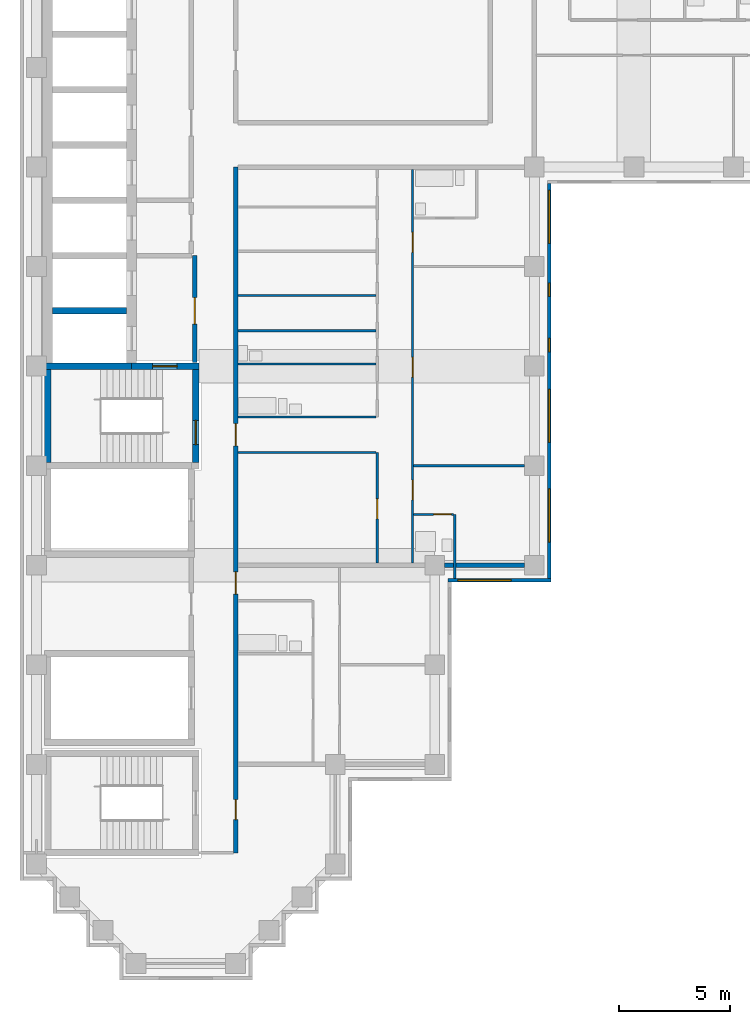
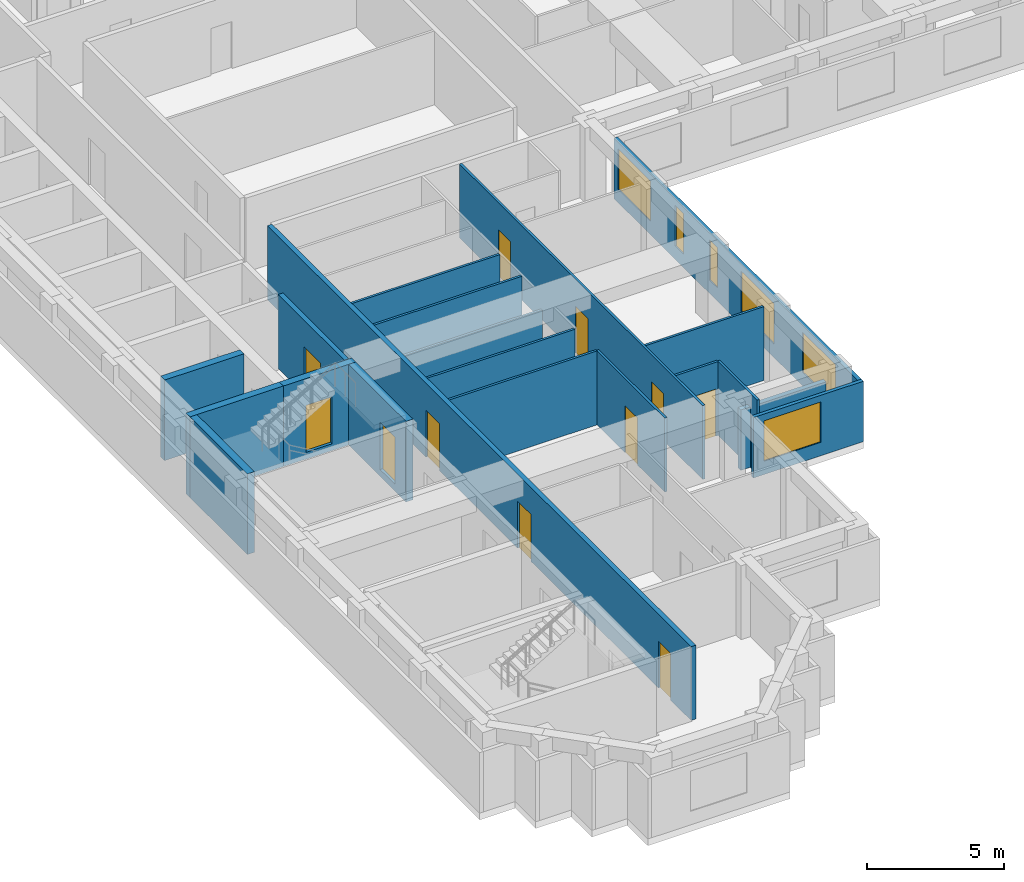
# One storey, part 3 of 10: 20 walls, 11 doors, 6 windows, 17 openings.
"""IFC4 building model written with IfcOpenShell, lengths in metres."""

from ifc_helpers import new_model, si_unit, direction, frame, frame_2d, origin, place, context, subcontext, project, spatial, rectangle, extrude, material, layer, layer_set, type_object, element, fill, save


model = new_model("IFC4")

# Units and contexts
model_context = context("Model", 3, precision=1e-05, world=origin(), true_north=direction((0.0, 1.0)))
body_context = subcontext(model_context, "Body", "Model", "MODEL_VIEW")
ifc_project = project(units=[si_unit("LENGTHUNIT", "METRE"), si_unit("AREAUNIT", "SQUARE_METRE"), si_unit("VOLUMEUNIT", "CUBIC_METRE"), si_unit("PLANEANGLEUNIT", "RADIAN"), si_unit("MASSUNIT", "GRAM", prefix="KILO")], contexts=[model_context])

# Site, building, storey
site_placement = place(None, origin())
site = spatial("IfcSite", under=ifc_project, at=site_placement, CompositionType="ELEMENT")
building_placement = place(site_placement, origin())
building = spatial("IfcBuilding", under=site, at=building_placement, Name="Firuza Court", CompositionType="ELEMENT")
storey_placement = place(building_placement, frame((0.0, 0.0, 200.60009765625)))
storey = spatial("IfcBuildingStorey", under=building, at=storey_placement, Name="L51", CompositionType="ELEMENT", Elevation=200.60009765625)

# Wall
ifc_material_1 = material(Name="Moisture-resistant gypsum board partition")
ifc_layer_1 = layer(ifc_material_1, 0.10009765625)
ifc_layer_set_1 = layer_set([ifc_layer_1], Name="Moisture-resistant gypsum board partition")
wall_type_1 = type_object("IfcWallType", Name="Bathroom partition 100", PredefinedType="PLUMBINGWALL", material=ifc_layer_set_1)
wall_1_placement = place(storey_placement, frame((18.89990234375, 17.39990234375, 0.0), z_axis=(0.0, 0.0, 1.0), x_axis=(0.0, 1.0, 0.0)))
element("IfcWall", 1, at=wall_1_placement, inside=storey, type_object=wall_type_1, Name="Bathroom partition 100 L51", PredefinedType="PLUMBINGWALL", context=body_context, shape_type="SweptSolid", body=[
    extrude(rectangle(XDim=2.900146484375, YDim=0.10009765625, at=frame_2d((1.4501953125, 0.0))), origin(), (0.0, 0.0, 1.0), 3.2998046875),
])

# Wall, opening, door
wall_2_placement = place(storey_placement, frame((17.050048828125, 20.300048828125, 0.0), z_axis=(0.0, 0.0, 1.0), x_axis=(1.0, 0.0, 0.0)))
wall_2 = element("IfcWall", 2, at=wall_2_placement, inside=storey, type_object=wall_type_1, Name="Bathroom partition 100 L51", PredefinedType="PLUMBINGWALL", context=body_context, shape_type="SweptSolid", body=[
    extrude(rectangle(XDim=1.800048828125, YDim=0.10009765625, at=frame_2d((0.89990234375, 0.0))), origin(), (0.0, 0.0, 1.0), 3.2998046875),
])
opening_1_placement = place(wall_2_placement, frame((0.89990234375, 0.0, 0.0)))
opening_1 = element("IfcOpeningElement", 3, at=opening_1_placement, cuts=wall_2, Name="Opening D51028", PredefinedType="OPENING", context=body_context, shape_type="SweptSolid", body=[
    extrude(rectangle(XDim=0.800048828125, YDim=2.10009765625, at=frame_2d((0.39990234375, 1.050048828125))), frame((0.0, 0.06201171875, 0.0), z_axis=(0.0, -1.0, 0.0), x_axis=(1.0, 0.0, 0.0)), (0.0, 0.0, 1.0), 0.1240234375),
])
ifc_material_2 = material(Name="Timber door leaf in hardwood frame", Category="wood")
door_type_1 = type_object("IfcDoorType", Name="Bathroom door 800", OperationType="SINGLE_SWING_LEFT", PredefinedType="DOOR", material=ifc_material_2)
door_1_placement = place(opening_1_placement, frame((0.800048828125, 0.0, 0.0), z_axis=(0.0, 0.0, 1.0), x_axis=(-1.0, 0.0, 0.0)))
door_1 = element("IfcDoor", 4, at=door_1_placement, inside=storey, type_object=door_type_1, Name="En-suite door", OperationType="SINGLE_SWING_LEFT", OverallHeight=2.10009765625, OverallWidth=0.800048828125, PredefinedType="DOOR", context=body_context, shape_type="SweptSolid", body=[
    extrude(rectangle(XDim=0.800048828125, YDim=2.10009765625, at=frame_2d((0.39990234375, 1.050048828125))), frame((0.0, 0.02490234375, 0.0), z_axis=(0.0, -1.0, 0.0), x_axis=(1.0, 0.0, 0.0)), (0.0, 0.0, 1.0), 0.050048828125),
])
fill(opening_1, door_1)

# Walls
wall_3_placement = place(storey_placement, frame((9.10009765625, 24.699951171875, 0.0), z_axis=(0.0, 0.0, 1.0), x_axis=(1.0, 0.0, 0.0)))
element("IfcWall", 5, at=wall_3_placement, inside=storey, type_object=wall_type_1, Name="Bathroom partition 100 L51", PredefinedType="PLUMBINGWALL", context=body_context, shape_type="SweptSolid", body=[
    extrude(rectangle(XDim=6.25, YDim=0.10009765625, at=frame_2d((3.125, 0.0))), origin(), (0.0, 0.0, 1.0), 3.2998046875),
])
wall_4_placement = place(storey_placement, frame((9.10009765625, 27.10009765625, 0.0), z_axis=(0.0, 0.0, 1.0), x_axis=(1.0, 0.0, 0.0)))
element("IfcWall", 6, at=wall_4_placement, inside=storey, type_object=wall_type_1, Name="Bathroom partition 100 L51", PredefinedType="PLUMBINGWALL", context=body_context, shape_type="SweptSolid", body=[
    extrude(rectangle(XDim=6.25, YDim=0.10009765625, at=frame_2d((3.125, 0.0))), origin(), (0.0, 0.0, 1.0), 2.699951171875),
])
wall_5_placement = place(storey_placement, frame((9.10009765625, 28.60009765625, 0.0), z_axis=(0.0, 0.0, 1.0), x_axis=(1.0, 0.0, 0.0)))
element("IfcWall", 7, at=wall_5_placement, inside=storey, type_object=wall_type_1, Name="Bathroom partition 100 L51", PredefinedType="PLUMBINGWALL", context=body_context, shape_type="SweptSolid", body=[
    extrude(rectangle(XDim=6.25, YDim=0.10009765625, at=frame_2d((3.125, 0.0))), origin(), (0.0, 0.0, 1.0), 3.2998046875),
])
ifc_material_3 = material(Name="Concrete C50/60", Category="concrete")
ifc_layer_2 = layer(ifc_material_3, 0.300048828125)
ifc_layer_set_2 = layer_set([ifc_layer_2], Name="Concrete C50/60")
wall_type_2 = type_object("IfcWallType", Name="Core wall 300 C50/60", PredefinedType="SHEAR", material=ifc_layer_set_2)
wall_6_placement = place(storey_placement, frame((0.35009765625, 27.0, -0.300048828125), z_axis=(0.0, 0.0, 1.0), x_axis=(1.0, 0.0, 0.0)))
element("IfcWall", 8, at=wall_6_placement, inside=storey, type_object=wall_type_2, Name="Core wall lift shaft L51", PredefinedType="SHEAR", context=body_context, shape_type="SweptSolid", body=[
    extrude(rectangle(XDim=3.949951171875, YDim=0.300048828125, at=frame_2d((1.97509765625, 0.0))), origin(), (0.0, 0.0, 1.0), 3.599853515625),
])
wall_7_placement = place(storey_placement, frame((0.5, 22.64990234375, -0.300048828125), z_axis=(0.0, 0.0, 1.0), x_axis=(0.0, 1.0, 0.0)))
element("IfcWall", 9, at=wall_7_placement, inside=storey, type_object=wall_type_2, Name="Core wall stair L51", PredefinedType="SHEAR", context=body_context, shape_type="SweptSolid", body=[
    extrude(rectangle(XDim=4.2001953125, YDim=0.300048828125, at=frame_2d((2.10009765625, 0.0))), origin(), (0.0, 0.0, 1.0), 3.599853515625),
])
wall_8_placement = place(storey_placement, frame((0.72509765625, 29.5, -0.300048828125), z_axis=(0.0, 0.0, 1.0), x_axis=(1.0, 0.0, 0.0)))
element("IfcWall", 10, at=wall_8_placement, inside=storey, type_object=wall_type_2, Name="Core wall lift shaft L51", PredefinedType="SHEAR", context=body_context, shape_type="SweptSolid", body=[
    extrude(rectangle(XDim=3.349853515625, YDim=0.300048828125, at=frame_2d((1.6748046875, 0.0))), origin(), (0.0, 0.0, 1.0), 3.599853515625),
])

# Wall, opening, door
wall_9_placement = place(storey_placement, frame((4.300048828125, 27.0, -0.300048828125), z_axis=(0.0, 0.0, 1.0), x_axis=(1.0, 0.0, 0.0)))
wall_9 = element("IfcWall", 11, at=wall_9_placement, inside=storey, type_object=wall_type_2, Name="Core wall stair L51", PredefinedType="SHEAR", context=body_context, shape_type="SweptSolid", body=[
    extrude(rectangle(XDim=3.050048828125, YDim=0.300048828125, at=frame_2d((1.52490234375, 0.0))), origin(), (0.0, 0.0, 1.0), 3.599853515625),
])
opening_2_placement = place(wall_9_placement, frame((0.949951171875, 0.0, 0.300048828125)))
opening_2 = element("IfcOpeningElement", 12, at=opening_2_placement, cuts=wall_9, Name="Opening D51012", PredefinedType="OPENING", context=body_context, shape_type="SweptSolid", body=[
    extrude(rectangle(XDim=1.10009765625, YDim=2.10009765625, at=frame_2d((0.550048828125, 1.050048828125))), frame((0.0, 0.162109375, 0.0), z_axis=(0.0, -1.0, 0.0), x_axis=(1.0, 0.0, 0.0)), (0.0, 0.0, 1.0), 0.323974609375),
])
ifc_material_4 = material(Name="Timber door leaf in hardwood frame", Category="wood")
door_type_2 = type_object("IfcDoorType", Name="Stair door 1100", OperationType="SINGLE_SWING_LEFT", PredefinedType="DOOR", material=ifc_material_4)
door_2_placement = place(opening_2_placement, frame((1.10009765625, 0.0, 0.0), z_axis=(0.0, 0.0, 1.0), x_axis=(-1.0, 0.0, 0.0)))
door_2 = element("IfcDoor", 13, at=door_2_placement, inside=storey, type_object=door_type_2, Name="Fire-fighting lobby door", OperationType="SINGLE_SWING_LEFT", OverallHeight=2.10009765625, OverallWidth=1.10009765625, PredefinedType="DOOR", context=body_context, shape_type="SweptSolid", body=[
    extrude(rectangle(XDim=1.10009765625, YDim=2.10009765625, at=frame_2d((0.550048828125, 1.050048828125))), frame((0.0, 0.02490234375, 0.0), z_axis=(0.0, -1.0, 0.0), x_axis=(1.0, 0.0, 0.0)), (0.0, 0.0, 1.0), 0.050048828125),
])
fill(opening_2, door_2)

wall_10_placement = place(storey_placement, frame((7.199951171875, 22.64990234375, -0.300048828125), z_axis=(0.0, 0.0, 1.0), x_axis=(0.0, 1.0, 0.0)))
wall_10 = element("IfcWall", 14, at=wall_10_placement, inside=storey, type_object=wall_type_2, Name="Core wall stair L51", PredefinedType="SHEAR", context=body_context, shape_type="SweptSolid", body=[
    extrude(rectangle(XDim=4.2001953125, YDim=0.300048828125, at=frame_2d((2.10009765625, 0.0))), origin(), (0.0, 0.0, 1.0), 3.599853515625),
])
opening_3_placement = place(wall_10_placement, frame((0.800048828125, 0.0, 0.300048828125)))
opening_3 = element("IfcOpeningElement", 15, at=opening_3_placement, cuts=wall_10, Name="Opening D51013", PredefinedType="OPENING", context=body_context, shape_type="SweptSolid", body=[
    extrude(rectangle(XDim=1.10009765625, YDim=2.10009765625, at=frame_2d((0.550048828125, 1.050048828125))), frame((0.0, 0.162109375, 0.0), z_axis=(0.0, -1.0, 0.0), x_axis=(1.0, 0.0, 0.0)), (0.0, 0.0, 1.0), 0.323974609375),
])
door_3_placement = place(opening_3_placement, origin())
door_3 = element("IfcDoor", 16, at=door_3_placement, inside=storey, type_object=door_type_2, Name="Stair door S2", OperationType="SINGLE_SWING_LEFT", OverallHeight=2.10009765625, OverallWidth=1.10009765625, PredefinedType="DOOR", context=body_context, shape_type="SweptSolid", body=[
    extrude(rectangle(XDim=1.10009765625, YDim=2.10009765625, at=frame_2d((0.550048828125, 1.050048828125))), frame((0.0, 0.02490234375, 0.0), z_axis=(0.0, -1.0, 0.0), x_axis=(1.0, 0.0, 0.0)), (0.0, 0.0, 1.0), 0.050048828125),
])
fill(opening_3, door_3)

# Wall, openings, doors
ifc_material_5 = material(Name="Blockwork, plastered both sides", Category="masonry")
ifc_layer_3 = layer(ifc_material_5, 0.199951171875)
ifc_layer_set_3 = layer_set([ifc_layer_3], Name="Blockwork, plastered both sides")
wall_type_3 = type_object("IfcWallType", Name="Corridor wall 200", PredefinedType="PARTITIONING", material=ifc_layer_set_3)
wall_11_placement = place(storey_placement, frame((9.0, 5.0, 0.0), z_axis=(0.0, 0.0, 1.0), x_axis=(0.0, 1.0, 0.0)))
wall_11 = element("IfcWall", 17, at=wall_11_placement, inside=storey, type_object=wall_type_3, Name="Corridor wall 200 L51", PredefinedType="PARTITIONING", context=body_context, shape_type="SweptSolid", body=[
    extrude(rectangle(XDim=31.0, YDim=0.199951171875, at=frame_2d((15.5, 0.0))), origin(), (0.0, 0.0, 1.0), 3.2998046875),
])
opening_4_placement = place(wall_11_placement, frame((18.39990234375, 0.0, 0.0)))
opening_4 = element("IfcOpeningElement", 18, at=opening_4_placement, cuts=wall_11, Name="Opening D51016", PredefinedType="OPENING", context=body_context, shape_type="SweptSolid", body=[
    extrude(rectangle(XDim=1.0, YDim=2.10009765625, at=frame_2d((0.5, 1.050048828125))), frame((0.0, 0.11181640625, 0.0), z_axis=(0.0, -1.0, 0.0), x_axis=(1.0, 0.0, 0.0)), (0.0, 0.0, 1.0), 0.223876953125),
])
opening_5_placement = place(wall_11_placement, frame((11.699951171875, 0.0, 0.0)))
opening_5 = element("IfcOpeningElement", 19, at=opening_5_placement, cuts=wall_11, Name="Opening D51017", PredefinedType="OPENING", context=body_context, shape_type="SweptSolid", body=[
    extrude(rectangle(XDim=1.0, YDim=2.10009765625, at=frame_2d((0.5, 1.050048828125))), frame((0.0, 0.11181640625, 0.0), z_axis=(0.0, -1.0, 0.0), x_axis=(1.0, 0.0, 0.0)), (0.0, 0.0, 1.0), 0.223876953125),
])
opening_6_placement = place(wall_11_placement, frame((1.5, 0.0, 0.0)))
opening_6 = element("IfcOpeningElement", 20, at=opening_6_placement, cuts=wall_11, Name="Opening D51018", PredefinedType="OPENING", context=body_context, shape_type="SweptSolid", body=[
    extrude(rectangle(XDim=0.89990234375, YDim=2.10009765625, at=frame_2d((0.449951171875, 1.050048828125))), frame((0.0, 0.11181640625, 0.0), z_axis=(0.0, -1.0, 0.0), x_axis=(1.0, 0.0, 0.0)), (0.0, 0.0, 1.0), 0.223876953125),
])
ifc_material_6 = material(Name="Timber door leaf in hardwood frame", Category="wood")
door_type_3 = type_object("IfcDoorType", Name="Flat entrance door 1000", OperationType="SINGLE_SWING_LEFT", PredefinedType="DOOR", material=ifc_material_6)
door_4_placement = place(opening_4_placement, origin())
door_4 = element("IfcDoor", 21, at=door_4_placement, inside=storey, type_object=door_type_3, Name="Flat entrance door", OperationType="SINGLE_SWING_LEFT", OverallHeight=2.10009765625, OverallWidth=1.0, PredefinedType="DOOR", context=body_context, shape_type="SweptSolid", body=[
    extrude(rectangle(XDim=1.0, YDim=2.10009765625, at=frame_2d((0.5, 1.050048828125))), frame((0.0, 0.02490234375, 0.0), z_axis=(0.0, -1.0, 0.0), x_axis=(1.0, 0.0, 0.0)), (0.0, 0.0, 1.0), 0.050048828125),
])
fill(opening_4, door_4)
door_5_placement = place(opening_5_placement, origin())
door_5 = element("IfcDoor", 22, at=door_5_placement, inside=storey, type_object=door_type_3, Name="Flat entrance door", OperationType="SINGLE_SWING_LEFT", OverallHeight=2.10009765625, OverallWidth=1.0, PredefinedType="DOOR", context=body_context, shape_type="SweptSolid", body=[
    extrude(rectangle(XDim=1.0, YDim=2.10009765625, at=frame_2d((0.5, 1.050048828125))), frame((0.0, 0.02490234375, 0.0), z_axis=(0.0, -1.0, 0.0), x_axis=(1.0, 0.0, 0.0)), (0.0, 0.0, 1.0), 0.050048828125),
])
fill(opening_5, door_5)
ifc_material_7 = material(Name="Timber door leaf in hardwood frame", Category="wood")
door_type_4 = type_object("IfcDoorType", Name="Room door 900 EI 30", OperationType="SINGLE_SWING_LEFT", PredefinedType="DOOR", material=ifc_material_7)
door_6_placement = place(opening_6_placement, frame((0.89990234375, 0.0, 0.0), z_axis=(0.0, 0.0, 1.0), x_axis=(-1.0, 0.0, 0.0)))
door_6 = element("IfcDoor", 23, at=door_6_placement, inside=storey, type_object=door_type_4, Name="Music room door", OperationType="SINGLE_SWING_LEFT", OverallHeight=2.10009765625, OverallWidth=0.89990234375, PredefinedType="DOOR", context=body_context, shape_type="SweptSolid", body=[
    extrude(rectangle(XDim=0.89990234375, YDim=2.10009765625, at=frame_2d((0.449951171875, 1.050048828125))), frame((0.0, 0.02490234375, 0.0), z_axis=(0.0, -1.0, 0.0), x_axis=(1.0, 0.0, 0.0)), (0.0, 0.0, 1.0), 0.050048828125),
])
fill(opening_6, door_6)

# Wall, opening, door
ifc_material_8 = material(Name="Timber stud partition, plasterboard both sides", Category="wood")
ifc_layer_4 = layer(ifc_material_8, 0.10009765625)
ifc_layer_set_4 = layer_set([ifc_layer_4], Name="Timber stud partition, plasterboard both sides")
wall_type_4 = type_object("IfcWallType", Name="Partition wall 100", PredefinedType="PARTITIONING", material=ifc_layer_set_4)
wall_12_placement = place(storey_placement, frame((15.39990234375, 18.10009765625, 0.0), z_axis=(0.0, 0.0, 1.0), x_axis=(0.0, 1.0, 0.0)))
wall_12 = element("IfcWall", 24, at=wall_12_placement, inside=storey, type_object=wall_type_4, Name="Partition wall 100 L51", PredefinedType="PARTITIONING", context=body_context, shape_type="SweptSolid", body=[
    extrude(rectangle(XDim=5.0, YDim=0.10009765625, at=frame_2d((2.5, 0.0))), origin(), (0.0, 0.0, 1.0), 3.2998046875),
])
opening_7_placement = place(wall_12_placement, frame((2.0, 0.0, 0.0)))
opening_7 = element("IfcOpeningElement", 25, at=opening_7_placement, cuts=wall_12, Name="Opening D51024", PredefinedType="OPENING", context=body_context, shape_type="SweptSolid", body=[
    extrude(rectangle(XDim=0.89990234375, YDim=2.10009765625, at=frame_2d((0.449951171875, 1.050048828125))), frame((0.0, 0.06201171875, 0.0), z_axis=(0.0, -1.0, 0.0), x_axis=(1.0, 0.0, 0.0)), (0.0, 0.0, 1.0), 0.1240234375),
])
ifc_material_9 = material(Name="Timber door leaf in hardwood frame", Category="wood")
door_type_5 = type_object("IfcDoorType", Name="Room door 900", OperationType="SINGLE_SWING_LEFT", PredefinedType="DOOR", material=ifc_material_9)
door_7_placement = place(opening_7_placement, origin())
door_7 = element("IfcDoor", 26, at=door_7_placement, inside=storey, type_object=door_type_5, Name="Kitchen door", OperationType="SINGLE_SWING_LEFT", OverallHeight=2.10009765625, OverallWidth=0.89990234375, PredefinedType="DOOR", context=body_context, shape_type="SweptSolid", body=[
    extrude(rectangle(XDim=0.89990234375, YDim=2.10009765625, at=frame_2d((0.449951171875, 1.050048828125))), frame((0.0, 0.02490234375, 0.0), z_axis=(0.0, -1.0, 0.0), x_axis=(1.0, 0.0, 0.0)), (0.0, 0.0, 1.0), 0.050048828125),
])
fill(opening_7, door_7)

# Wall, openings, doors
wall_13_placement = place(storey_placement, frame((17.0, 18.10009765625, 0.0), z_axis=(0.0, 0.0, 1.0), x_axis=(0.0, 1.0, 0.0)))
wall_13 = element("IfcWall", 27, at=wall_13_placement, inside=storey, type_object=wall_type_4, Name="Partition wall 100 L51", PredefinedType="PARTITIONING", context=body_context, shape_type="SweptSolid", body=[
    extrude(rectangle(XDim=17.7998046875, YDim=0.10009765625, at=frame_2d((8.89990234375, 0.0))), origin(), (0.0, 0.0, 1.0), 3.2998046875),
])
opening_8_placement = place(wall_13_placement, frame((2.85009765625, 0.0, 0.0)))
opening_8 = element("IfcOpeningElement", 28, at=opening_8_placement, cuts=wall_13, Name="Opening D51025", PredefinedType="OPENING", context=body_context, shape_type="SweptSolid", body=[
    extrude(rectangle(XDim=0.89990234375, YDim=2.10009765625, at=frame_2d((0.449951171875, 1.050048828125))), frame((0.0, 0.06201171875, 0.0), z_axis=(0.0, -1.0, 0.0), x_axis=(1.0, 0.0, 0.0)), (0.0, 0.0, 1.0), 0.1240234375),
])
opening_9_placement = place(wall_13_placement, frame((8.39990234375, 0.0, 0.0)))
opening_9 = element("IfcOpeningElement", 29, at=opening_9_placement, cuts=wall_13, Name="Opening D51026", PredefinedType="OPENING", context=body_context, shape_type="SweptSolid", body=[
    extrude(rectangle(XDim=0.89990234375, YDim=2.10009765625, at=frame_2d((0.449951171875, 1.050048828125))), frame((0.0, 0.06201171875, 0.0), z_axis=(0.0, -1.0, 0.0), x_axis=(1.0, 0.0, 0.0)), (0.0, 0.0, 1.0), 0.1240234375),
])
opening_10_placement = place(wall_13_placement, frame((14.050048828125, 0.0, 0.0)))
opening_10 = element("IfcOpeningElement", 30, at=opening_10_placement, cuts=wall_13, Name="Opening D51027", PredefinedType="OPENING", context=body_context, shape_type="SweptSolid", body=[
    extrude(rectangle(XDim=0.89990234375, YDim=2.10009765625, at=frame_2d((0.449951171875, 1.050048828125))), frame((0.0, 0.06201171875, 0.0), z_axis=(0.0, -1.0, 0.0), x_axis=(1.0, 0.0, 0.0)), (0.0, 0.0, 1.0), 0.1240234375),
])
door_8_placement = place(opening_8_placement, frame((0.89990234375, 0.0, 0.0), z_axis=(0.0, 0.0, 1.0), x_axis=(-1.0, 0.0, 0.0)))
door_8 = element("IfcDoor", 31, at=door_8_placement, inside=storey, type_object=door_type_5, Name="Bedroom door", OperationType="SINGLE_SWING_RIGHT", OverallHeight=2.10009765625, OverallWidth=0.89990234375, PredefinedType="DOOR", context=body_context, shape_type="SweptSolid", body=[
    extrude(rectangle(XDim=0.89990234375, YDim=2.10009765625, at=frame_2d((0.449951171875, 1.050048828125))), frame((0.0, 0.02490234375, 0.0), z_axis=(0.0, -1.0, 0.0), x_axis=(1.0, 0.0, 0.0)), (0.0, 0.0, 1.0), 0.050048828125),
])
fill(opening_8, door_8)
door_9_placement = place(opening_9_placement, frame((0.89990234375, 0.0, 0.0), z_axis=(0.0, 0.0, 1.0), x_axis=(-1.0, 0.0, 0.0)))
door_9 = element("IfcDoor", 32, at=door_9_placement, inside=storey, type_object=door_type_5, Name="Living room door", OperationType="SINGLE_SWING_RIGHT", OverallHeight=2.10009765625, OverallWidth=0.89990234375, PredefinedType="DOOR", context=body_context, shape_type="SweptSolid", body=[
    extrude(rectangle(XDim=0.89990234375, YDim=2.10009765625, at=frame_2d((0.449951171875, 1.050048828125))), frame((0.0, 0.02490234375, 0.0), z_axis=(0.0, -1.0, 0.0), x_axis=(1.0, 0.0, 0.0)), (0.0, 0.0, 1.0), 0.050048828125),
])
fill(opening_9, door_9)
door_10_placement = place(opening_10_placement, frame((0.89990234375, 0.0, 0.0), z_axis=(0.0, 0.0, 1.0), x_axis=(-1.0, 0.0, 0.0)))
door_10 = element("IfcDoor", 33, at=door_10_placement, inside=storey, type_object=door_type_5, Name="Bedroom door", OperationType="SINGLE_SWING_RIGHT", OverallHeight=2.10009765625, OverallWidth=0.89990234375, PredefinedType="DOOR", context=body_context, shape_type="SweptSolid", body=[
    extrude(rectangle(XDim=0.89990234375, YDim=2.10009765625, at=frame_2d((0.449951171875, 1.050048828125))), frame((0.0, 0.02490234375, 0.0), z_axis=(0.0, -1.0, 0.0), x_axis=(1.0, 0.0, 0.0)), (0.0, 0.0, 1.0), 0.050048828125),
])
fill(opening_10, door_10)

# Walls
wall_14_placement = place(storey_placement, frame((17.050048828125, 22.5, 0.0), z_axis=(0.0, 0.0, 1.0), x_axis=(1.0, 0.0, 0.0)))
element("IfcWall", 34, at=wall_14_placement, inside=storey, type_object=wall_type_4, Name="Partition wall 100 L51", PredefinedType="PARTITIONING", context=body_context, shape_type="SweptSolid", body=[
    extrude(rectangle(XDim=5.0, YDim=0.10009765625, at=frame_2d((2.5, 0.0))), origin(), (0.0, 0.0, 1.0), 3.2998046875),
])
for number, where, z_axis, x_axis, name in (
    (35, (9.10009765625, 23.10009765625, 0.0), (0.0, 0.0, 1.0), (1.0, 0.0, 0.0), "Partition wall 100 L51"),
    (36, (9.10009765625, 30.199951171875, 0.0), (0.0, 0.0, 1.0), (1.0, 0.0, 0.0), "Partition wall 100 L51"),
):
    element("IfcWall", number, at=place(storey_placement, frame(where, z_axis=z_axis, x_axis=x_axis)), inside=storey, type_object=wall_type_4, Name=name, PredefinedType="PARTITIONING", context=body_context, shape_type="SweptSolid", body=[
        extrude(rectangle(XDim=6.25, YDim=0.10009765625, at=frame_2d((3.125, 0.0))), origin(), (0.0, 0.0, 1.0), 3.2998046875),
    ])
ifc_layer_5 = layer(ifc_material_5, 0.199951171875)
ifc_layer_set_5 = layer_set([ifc_layer_5], Name="Blockwork, plastered both sides")
wall_type_5 = type_object("IfcWallType", Name="Party wall 200", PredefinedType="PARTITIONING", material=ifc_layer_set_5)
wall_15_placement = place(storey_placement, frame((18.449951171875, 18.0, 0.0), z_axis=(0.0, 0.0, 1.0), x_axis=(1.0, 0.0, 0.0)))
element("IfcWall", 37, at=wall_15_placement, inside=storey, type_object=wall_type_5, Name="Party wall 200 L51", PredefinedType="PARTITIONING", context=body_context, shape_type="SweptSolid", body=[
    extrude(rectangle(XDim=3.60009765625, YDim=0.199951171875, at=frame_2d((1.800048828125, 0.0))), origin(), (0.0, 0.0, 1.0), 2.699951171875),
])

# Wall, opening, window
ifc_material_10 = material(Name="Ceramic tile", Category="ceramic")
ifc_layer_6 = layer(ifc_material_10, 0.02001953125)
ifc_material_11 = material(Name="Mineral wool insulation", Category="insulation")
ifc_layer_7 = layer(ifc_material_11, 0.050048828125)
ifc_material_12 = material(Name="Concrete C40/50 precast", Category="concrete")
ifc_layer_8 = layer(ifc_material_12, 0.080078125)
ifc_layer_set_6 = layer_set([ifc_layer_6, ifc_layer_7, ifc_layer_8], Name="Concrete C40/50 precast")
wall_type_6 = type_object("IfcWallType", Name="Precast cladding wall with turquoise TILE PANEL face 150", PredefinedType="STANDARD", material=ifc_layer_set_6)
wall_16_placement = place(storey_placement, frame((18.60009765625, 17.324951171875, 0.0), z_axis=(0.0, 0.0, 1.0), x_axis=(1.0, 0.0, 0.0)))
wall_16 = element("IfcWall", 38, at=wall_16_placement, inside=storey, type_object=wall_type_6, Name="Facade wall L51 S", PredefinedType="STANDARD", context=body_context, shape_type="SweptSolid", body=[
    extrude(rectangle(XDim=4.64990234375, YDim=0.14990234375, at=frame_2d((2.324951171875, 0.0))), origin(), (0.0, 0.0, 1.0), 2.699951171875),
])
opening_11_placement = place(wall_16_placement, frame((0.449951171875, 0.0, 0.60009765625)))
opening_11 = element("IfcOpeningElement", 39, at=opening_11_placement, cuts=wall_16, Name="Opening W1", PredefinedType="OPENING", context=body_context, shape_type="SweptSolid", body=[
    extrude(rectangle(XDim=2.39990234375, YDim=1.800048828125, at=frame_2d((1.199951171875, 0.89990234375))), frame((0.0, 0.0869140625, 0.0), z_axis=(0.0, -1.0, 0.0), x_axis=(1.0, 0.0, 0.0)), (0.0, 0.0, 1.0), 0.173828125),
])
ifc_material_13 = material(Name="Aluminium frame, triple clear glazing", Category="aluminium")
window_type_1 = type_object("IfcWindowType", Name="Window W1 2400 x 1800", PartitioningType="SINGLE_PANEL", PredefinedType="WINDOW", material=ifc_material_13)
window_1_placement = place(opening_11_placement, origin())
window_1 = element("IfcWindow", 40, at=window_1_placement, inside=storey, type_object=window_type_1, Name="Window L51", OverallHeight=1.800048828125, OverallWidth=2.39990234375, PartitioningType="SINGLE_PANEL", PredefinedType="WINDOW", context=body_context, shape_type="SweptSolid", body=[
    extrude(rectangle(XDim=2.39990234375, YDim=1.800048828125, at=frame_2d((1.199951171875, 0.89990234375))), frame((0.0, 0.030029296875, 0.0), z_axis=(0.0, -1.0, 0.0), x_axis=(1.0, 0.0, 0.0)), (0.0, 0.0, 1.0), 0.06005859375),
])
fill(opening_11, window_1)

# Wall, openings, windows
wall_17_placement = place(storey_placement, frame((23.175048828125, 17.39990234375, 0.0), z_axis=(0.0, 0.0, 1.0), x_axis=(0.0, 1.0, 0.0)))
wall_17 = element("IfcWall", 41, at=wall_17_placement, inside=storey, type_object=wall_type_6, Name="Facade wall L51 E", PredefinedType="STANDARD", context=body_context, shape_type="SweptSolid", body=[
    extrude(rectangle(XDim=17.85009765625, YDim=0.14990234375, at=frame_2d((8.925048828125, 0.0))), origin(), (0.0, 0.0, 1.0), 2.699951171875),
])
opening_12_placement = place(wall_17_placement, frame((1.64990234375, 0.0, 0.60009765625)))
opening_12 = element("IfcOpeningElement", 42, at=opening_12_placement, cuts=wall_17, Name="Opening W1", PredefinedType="OPENING", context=body_context, shape_type="SweptSolid", body=[
    extrude(rectangle(XDim=2.39990234375, YDim=1.800048828125, at=frame_2d((1.199951171875, 0.89990234375))), frame((0.0, 0.0869140625, 0.0), z_axis=(0.0, -1.0, 0.0), x_axis=(1.0, 0.0, 0.0)), (0.0, 0.0, 1.0), 0.173828125),
])
opening_13_placement = place(wall_17_placement, frame((6.14990234375, 0.0, 0.60009765625)))
opening_13 = element("IfcOpeningElement", 43, at=opening_13_placement, cuts=wall_17, Name="Opening W1", PredefinedType="OPENING", context=body_context, shape_type="SweptSolid", body=[
    extrude(rectangle(XDim=2.39990234375, YDim=1.800048828125, at=frame_2d((1.199951171875, 0.89990234375))), frame((0.0, 0.0869140625, 0.0), z_axis=(0.0, -1.0, 0.0), x_axis=(1.0, 0.0, 0.0)), (0.0, 0.0, 1.0), 0.173828125),
])
opening_14_placement = place(wall_17_placement, frame((10.252197265625, 0.0, 0.60009765625)))
opening_14 = element("IfcOpeningElement", 44, at=opening_14_placement, cuts=wall_17, Name="Opening W4", PredefinedType="OPENING", context=body_context, shape_type="SweptSolid", body=[
    extrude(rectangle(XDim=0.60009765625, YDim=1.800048828125, at=frame_2d((0.300048828125, 0.89990234375))), frame((0.0, 0.0869140625, 0.0), z_axis=(0.0, -1.0, 0.0), x_axis=(1.0, 0.0, 0.0)), (0.0, 0.0, 1.0), 0.173828125),
])
opening_15_placement = place(wall_17_placement, frame((12.756103515625, 0.0, 0.60009765625)))
opening_15 = element("IfcOpeningElement", 45, at=opening_15_placement, cuts=wall_17, Name="Opening W4", PredefinedType="OPENING", context=body_context, shape_type="SweptSolid", body=[
    extrude(rectangle(XDim=0.60009765625, YDim=1.800048828125, at=frame_2d((0.300048828125, 0.89990234375))), frame((0.0, 0.0869140625, 0.0), z_axis=(0.0, -1.0, 0.0), x_axis=(1.0, 0.0, 0.0)), (0.0, 0.0, 1.0), 0.173828125),
])
opening_16_placement = place(wall_17_placement, frame((15.14990234375, 0.0, 0.60009765625)))
opening_16 = element("IfcOpeningElement", 46, at=opening_16_placement, cuts=wall_17, Name="Opening W1", PredefinedType="OPENING", context=body_context, shape_type="SweptSolid", body=[
    extrude(rectangle(XDim=2.39990234375, YDim=1.800048828125, at=frame_2d((1.199951171875, 0.89990234375))), frame((0.0, 0.0869140625, 0.0), z_axis=(0.0, -1.0, 0.0), x_axis=(1.0, 0.0, 0.0)), (0.0, 0.0, 1.0), 0.173828125),
])
window_2_placement = place(opening_12_placement, origin())
window_2 = element("IfcWindow", 47, at=window_2_placement, inside=storey, type_object=window_type_1, Name="Window L51", OverallHeight=1.800048828125, OverallWidth=2.39990234375, PartitioningType="SINGLE_PANEL", PredefinedType="WINDOW", context=body_context, shape_type="SweptSolid", body=[
    extrude(rectangle(XDim=2.39990234375, YDim=1.800048828125, at=frame_2d((1.199951171875, 0.89990234375))), frame((0.0, 0.030029296875, 0.0), z_axis=(0.0, -1.0, 0.0), x_axis=(1.0, 0.0, 0.0)), (0.0, 0.0, 1.0), 0.06005859375),
])
fill(opening_12, window_2)
window_3_placement = place(opening_13_placement, origin())
window_3 = element("IfcWindow", 48, at=window_3_placement, inside=storey, type_object=window_type_1, Name="Window L51", OverallHeight=1.800048828125, OverallWidth=2.39990234375, PartitioningType="SINGLE_PANEL", PredefinedType="WINDOW", context=body_context, shape_type="SweptSolid", body=[
    extrude(rectangle(XDim=2.39990234375, YDim=1.800048828125, at=frame_2d((1.199951171875, 0.89990234375))), frame((0.0, 0.030029296875, 0.0), z_axis=(0.0, -1.0, 0.0), x_axis=(1.0, 0.0, 0.0)), (0.0, 0.0, 1.0), 0.06005859375),
])
fill(opening_13, window_3)
window_4_placement = place(opening_16_placement, origin())
window_4 = element("IfcWindow", 49, at=window_4_placement, inside=storey, type_object=window_type_1, Name="Window L51", OverallHeight=1.800048828125, OverallWidth=2.39990234375, PartitioningType="SINGLE_PANEL", PredefinedType="WINDOW", context=body_context, shape_type="SweptSolid", body=[
    extrude(rectangle(XDim=2.39990234375, YDim=1.800048828125, at=frame_2d((1.199951171875, 0.89990234375))), frame((0.0, 0.030029296875, 0.0), z_axis=(0.0, -1.0, 0.0), x_axis=(1.0, 0.0, 0.0)), (0.0, 0.0, 1.0), 0.06005859375),
])
fill(opening_16, window_4)
ifc_material_14 = material(Name="Aluminium frame, triple clear glazing", Category="aluminium")
window_type_2 = type_object("IfcWindowType", Name="Window W4 600 x 1800", PartitioningType="SINGLE_PANEL", PredefinedType="WINDOW", material=ifc_material_14)
window_5_placement = place(opening_14_placement, origin())
window_5 = element("IfcWindow", 50, at=window_5_placement, inside=storey, type_object=window_type_2, Name="Window L51", OverallHeight=1.800048828125, OverallWidth=0.60009765625, PartitioningType="SINGLE_PANEL", PredefinedType="WINDOW", context=body_context, shape_type="SweptSolid", body=[
    extrude(rectangle(XDim=0.60009765625, YDim=1.800048828125, at=frame_2d((0.300048828125, 0.89990234375))), frame((0.0, 0.030029296875, 0.0), z_axis=(0.0, -1.0, 0.0), x_axis=(1.0, 0.0, 0.0)), (0.0, 0.0, 1.0), 0.06005859375),
])
fill(opening_14, window_5)
window_6_placement = place(opening_15_placement, origin())
window_6 = element("IfcWindow", 51, at=window_6_placement, inside=storey, type_object=window_type_2, Name="Window L51", OverallHeight=1.800048828125, OverallWidth=0.60009765625, PartitioningType="SINGLE_PANEL", PredefinedType="WINDOW", context=body_context, shape_type="SweptSolid", body=[
    extrude(rectangle(XDim=0.60009765625, YDim=1.800048828125, at=frame_2d((0.300048828125, 0.89990234375))), frame((0.0, 0.030029296875, 0.0), z_axis=(0.0, -1.0, 0.0), x_axis=(1.0, 0.0, 0.0)), (0.0, 0.0, 1.0), 0.06005859375),
])
fill(opening_15, window_6)

# Wall, opening, door
ifc_material_15 = material(Name="Blockwork, fire-rated", Category="masonry")
ifc_layer_9 = layer(ifc_material_15, 0.199951171875)
ifc_layer_set_7 = layer_set([ifc_layer_9], Name="Blockwork, fire-rated")
wall_type_7 = type_object("IfcWallType", Name="Shaft wall 200", PredefinedType="PARTITIONING", material=ifc_layer_set_7)
wall_18_placement = place(storey_placement, frame((7.14990234375, 27.169921875, 0.0), z_axis=(0.0, 0.0, 1.0), x_axis=(0.0, 1.0, 0.0)))
wall_18 = element("IfcWall", 52, at=wall_18_placement, inside=storey, type_object=wall_type_7, Name="Shaft wall 200 L51", PredefinedType="PARTITIONING", context=body_context, shape_type="SweptSolid", body=[
    extrude(rectangle(XDim=4.830078125, YDim=0.199951171875, at=frame_2d((2.4150390625, 0.0))), origin(), (0.0, 0.0, 1.0), 3.2998046875),
])
opening_17_placement = place(wall_18_placement, frame((1.72998046875, 0.0, 0.0)))
opening_17 = element("IfcOpeningElement", 53, at=opening_17_placement, cuts=wall_18, Name="Opening D51002", PredefinedType="OPENING", context=body_context, shape_type="SweptSolid", body=[
    extrude(rectangle(XDim=1.199951171875, YDim=2.10009765625, at=frame_2d((0.60009765625, 1.050048828125))), frame((0.0, 0.11181640625, 0.0), z_axis=(0.0, -1.0, 0.0), x_axis=(1.0, 0.0, 0.0)), (0.0, 0.0, 1.0), 0.223876953125),
])
ifc_material_16 = material(Name="Timber door leaf in hardwood frame", Category="wood")
door_type_6 = type_object("IfcDoorType", Name="Lobby door 1200", OperationType="SINGLE_SWING_LEFT", PredefinedType="DOOR", material=ifc_material_16)
door_11_placement = place(opening_17_placement, origin())
door_11 = element("IfcDoor", 54, at=door_11_placement, inside=storey, type_object=door_type_6, Name="Fire-fighting lobby door", OperationType="SINGLE_SWING_LEFT", OverallHeight=2.10009765625, OverallWidth=1.199951171875, PredefinedType="DOOR", context=body_context, shape_type="SweptSolid", body=[
    extrude(rectangle(XDim=1.199951171875, YDim=2.10009765625, at=frame_2d((0.60009765625, 1.050048828125))), frame((0.0, 0.02490234375, 0.0), z_axis=(0.0, -1.0, 0.0), x_axis=(1.0, 0.0, 0.0)), (0.0, 0.0, 1.0), 0.050048828125),
])
fill(opening_17, door_11)

save(model, "model.ifc")
